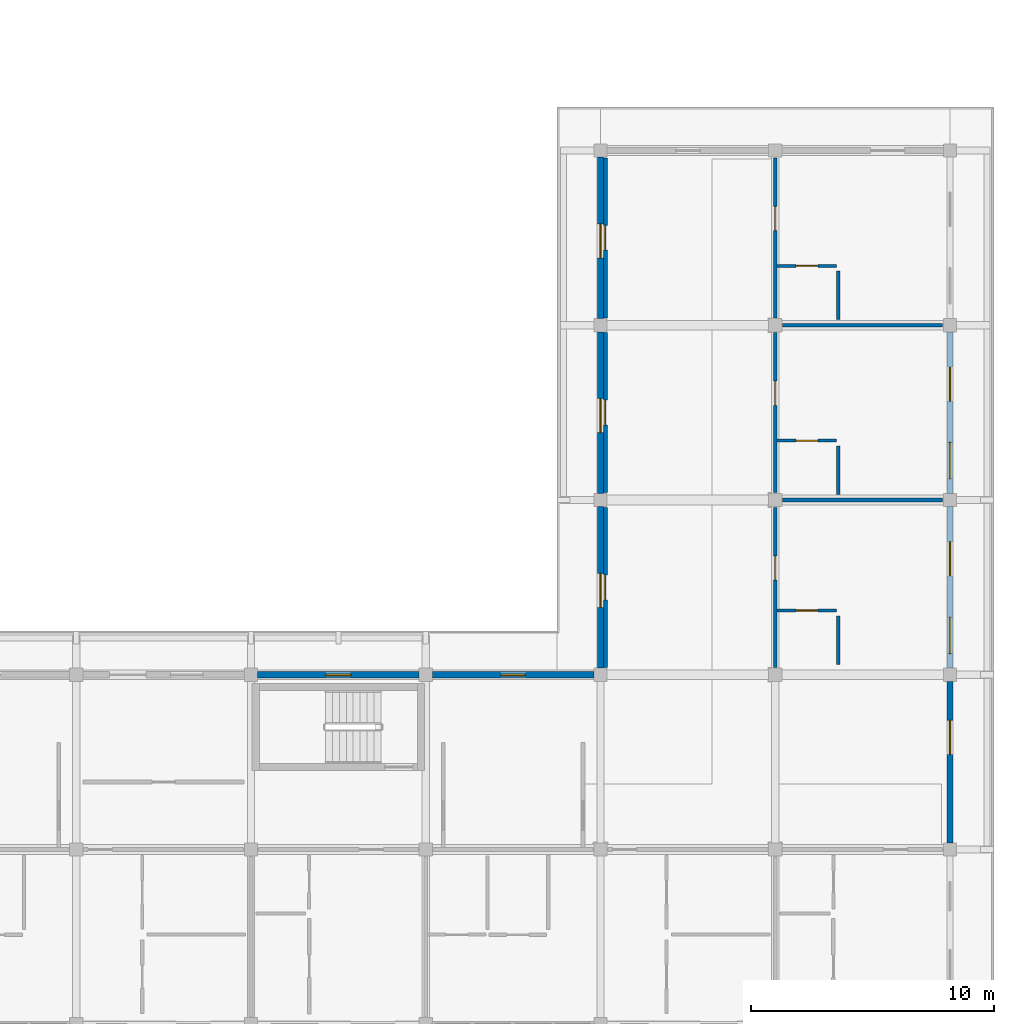
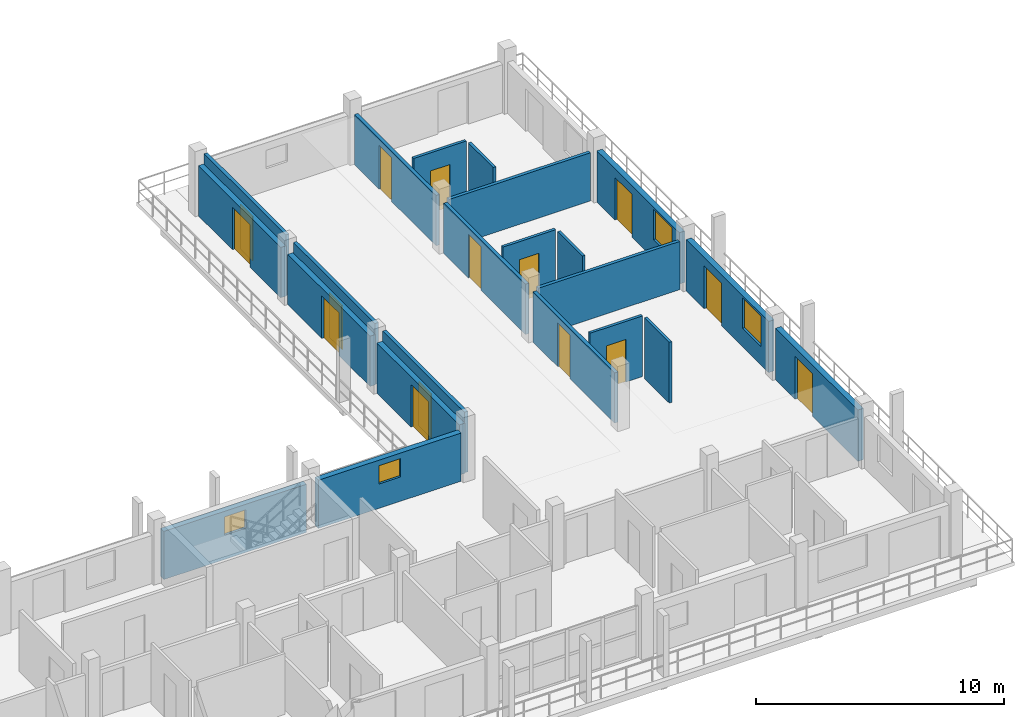
# One storey, part 47 of 67: 22 walls, 15 doors, 4 windows, 19 openings.
"""IFC4 building model written with IfcOpenShell, lengths in metres."""

import ifcopenshell
import ifcopenshell.guid

model = None  # the IFC model being written
_history = None  # IfcOwnerHistory: only IFC2X3 demands one
_inside = {}  # id of a spatial element -> (the spatial element, [elements in it])
_under = {}  # id of a project, library or spatial element -> (it, [spatial elements below it])
_declared = {}  # id of a project -> (the project, [libraries it declares])
_typed = {}  # id of a type object -> (the type object, [elements of that type])
_made_of = {}  # id of a material, layer set ... -> (it, [elements and type objects made of it])


def new_model(schema):
    """Start an empty IFC model of exactly this schema.

    Asked for "IFC4X3", IfcOpenShell would pick the latest addendum, in which some entities
    have other attributes; the version numbers below select the first issue.
    IFC2X3 requires an IfcOwnerHistory on every rooted entity: one is made here for all.
    """
    global model, _history
    if schema == "IFC4X3":
        model = ifcopenshell.file(schema_version=(4, 3, 0, 0))
    else:
        model = ifcopenshell.file(schema=schema)
    _inside.clear()
    _under.clear()
    _declared.clear()
    _typed.clear()
    _made_of.clear()
    _history = None
    if model.schema == "IFC2X3":
        org = make("IfcOrganization", Name="unknown")
        user = make(
            "IfcPersonAndOrganization",
            ThePerson=make("IfcPerson", FamilyName="unknown"),
            TheOrganization=org,
        )
        app = make(
            "IfcApplication",
            ApplicationDeveloper=org,
            Version="unknown",
            ApplicationFullName="unknown",
            ApplicationIdentifier="unknown",
        )
        _history = make(
            "IfcOwnerHistory",
            OwningUser=user,
            OwningApplication=app,
            ChangeAction="ADDED",
            CreationDate=0,
        )
    return model


def make(cls, **values):
    """One entity of the class cls with the attributes given. An attribute that is None is left unset."""
    return model.create_entity(
        cls, **{name: value for name, value in values.items() if value is not None}
    )


def rooted(cls, **values):
    """An entity with a GlobalId (a new one), such as an element, a storey or a relation."""
    return make(cls, GlobalId=ifcopenshell.guid.new(), OwnerHistory=_history, **values)


def si_unit(unit_type, name, prefix=None):
    """IfcSIUnit, for example si_unit("LENGTHUNIT", "METRE", prefix="MILLI")."""
    return make("IfcSIUnit", UnitType=unit_type, Prefix=prefix, Name=name)


def assignment(units):
    """IfcUnitAssignment: the units of a project."""
    return None if units is None else make("IfcUnitAssignment", Units=units)


def point(xyz):
    """IfcCartesianPoint."""
    return None if xyz is None else make("IfcCartesianPoint", Coordinates=xyz)


def direction(xyz):
    """IfcDirection."""
    return None if xyz is None else make("IfcDirection", DirectionRatios=xyz)


def frame(location, z_axis=None, x_axis=None):
    """IfcAxis2Placement3D, a coordinate frame: its origin and axes. An axis left out is left unset."""
    return make(
        "IfcAxis2Placement3D",
        Location=point(location),
        Axis=direction(z_axis),
        RefDirection=direction(x_axis),
    )


def frame_2d(location, x_axis=None):
    """IfcAxis2Placement2D, a coordinate frame in the plane: its origin and x axis."""
    return make(
        "IfcAxis2Placement2D", Location=point(location), RefDirection=direction(x_axis)
    )


def origin():
    """The frame at (0, 0, 0) with its axes left unset."""
    return frame((0.0, 0.0, 0.0))


def place(relative_to, where):
    """IfcLocalPlacement: puts the frame where relative to a parent placement (None: the world)."""
    return make(
        "IfcLocalPlacement", PlacementRelTo=relative_to, RelativePlacement=where
    )


def context(
    kind, dimensions, precision=None, world=None, true_north=None, identifier=None
):
    """IfcGeometricRepresentationContext, for example the 3D "Model" context."""
    return make(
        "IfcGeometricRepresentationContext",
        ContextIdentifier=identifier,
        ContextType=kind,
        CoordinateSpaceDimension=dimensions,
        Precision=precision,
        WorldCoordinateSystem=world,
        TrueNorth=true_north,
    )


def subcontext(parent, identifier, kind, view, scale=None):
    """IfcGeometricRepresentationSubContext, for example "Body" below "Model"."""
    return make(
        "IfcGeometricRepresentationSubContext",
        ContextIdentifier=identifier,
        ContextType=kind,
        ParentContext=parent,
        TargetScale=scale,
        TargetView=view,
    )


def project(units=None, contexts=None):
    """IfcProject with its units and contexts."""
    return rooted(
        "IfcProject",
        Name="project",
        RepresentationContexts=contexts,
        UnitsInContext=assignment(units),
    )


def spatial(cls, under=None, at=None, **own):
    """A site, building, storey or space (cls), placed at a placement, below another one or the project."""
    s = rooted(cls, ObjectPlacement=at, **own)
    if under is not None:
        _under.setdefault(under.id(), (under, []))[1].append(s)
    return s


def profile(cls, at=None, kind="AREA", **sizes):
    """A parametric profile (cls). Its sizes go by their IFC names, for example OverallWidth=200.0."""
    return make(cls, ProfileType=kind, Position=at, **sizes)


def rectangle(**sizes):
    """IfcRectangleProfileDef."""
    return profile("IfcRectangleProfileDef", **sizes)


def extrude(swept, where, along, depth):
    """IfcExtrudedAreaSolid: the profile swept, set in the frame where, extruded along a direction by depth."""
    return make(
        "IfcExtrudedAreaSolid",
        SweptArea=swept,
        Position=where,
        ExtrudedDirection=direction(along),
        Depth=depth,
    )


def shape(context_of_items, identifier, shape_type, items):
    """IfcShapeRepresentation: the items that make up one representation, for example the "Body"."""
    return make(
        "IfcShapeRepresentation",
        ContextOfItems=context_of_items,
        RepresentationIdentifier=identifier,
        RepresentationType=shape_type,
        Items=items,
    )


def material(Name=None, Category=None):
    """IfcMaterial."""
    return make("IfcMaterial", Name=Name, Category=Category)


def layer(
    of_material, thickness, ventilated=None, Name=None, Category=None, Priority=None
):
    """IfcMaterialLayer: one layer of a wall or slab, of a material (None: an air gap)."""
    return make(
        "IfcMaterialLayer",
        Material=of_material,
        LayerThickness=thickness,
        IsVentilated=ventilated,
        Name=Name,
        Category=Category,
        Priority=Priority,
    )


def layer_set(layers, Name=None):
    """IfcMaterialLayerSet."""
    return make("IfcMaterialLayerSet", MaterialLayers=layers, LayerSetName=Name)


def made_of(thing, what):
    """Note that an element or type object is made of a material, layer set ...; save() writes the relation."""
    if what is not None:
        _made_of.setdefault(what.id(), (what, []))[1].append(thing)
    return thing


def type_object(cls, material=None, **own):
    """A type object (cls), such as IfcWallType, which elements share."""
    return made_of(rooted(cls, **own), material)


def element(
    cls,
    number,
    at=None,
    inside=None,
    cuts=None,
    type_object=None,
    material=None,
    context=None,
    identifier="Body",
    shape_type=None,
    held_by="IfcProductDefinitionShape",
    body=None,
    shapes=None,
    **own,
):
    """One element of the class cls, such as IfcWall. Its Tag is "e" and its number.

    at: its placement. inside: the storey or other place that contains it. cuts: it is an
    opening in that element (IfcRelVoidsElement). A single representation is given by context,
    identifier, shape_type and body (its items); several are given by shapes. held_by: the class
    of the entity that holds the representations. save() writes the other relations.
    """
    e = rooted(cls, Tag="e%d" % number, ObjectPlacement=at, **own)
    if body is not None:
        shapes = [shape(context, identifier, shape_type, body)]
    if shapes is not None:
        e.Representation = make(held_by, Representations=shapes)
    if inside is not None:
        _inside.setdefault(inside.id(), (inside, []))[1].append(e)
    if cuts is not None:
        rooted(
            "IfcRelVoidsElement", RelatingBuildingElement=cuts, RelatedOpeningElement=e
        )
    if type_object is not None:
        _typed.setdefault(type_object.id(), (type_object, []))[1].append(e)
    return made_of(e, material)


def fill(opening, filler):
    """IfcRelFillsElement: the door or window that sits in an opening."""
    return rooted(
        "IfcRelFillsElement",
        RelatingOpeningElement=opening,
        RelatedBuildingElement=filler,
    )


def aggregate(whole, parts):
    """IfcRelAggregates: a whole, such as a stair, and the parts it consists of."""
    return rooted("IfcRelAggregates", RelatingObject=whole, RelatedObjects=parts)


def save(model, path):
    """Write the relations noted so far, then the file.

    IfcRelAggregates (storeys below a building ...), IfcRelContainedInSpatialStructure (elements
    in a storey), IfcRelDefinesByType, IfcRelAssociatesMaterial and IfcRelDeclares: one each for
    every whole, place, type object, material and project.
    """
    for whole, parts in _under.values():
        aggregate(whole, parts)
    for where, things in _inside.values():
        rooted(
            "IfcRelContainedInSpatialStructure",
            RelatedElements=things,
            RelatingStructure=where,
        )
    for kind, things in _typed.values():
        rooted("IfcRelDefinesByType", RelatedObjects=things, RelatingType=kind)
    for what, things in _made_of.values():
        rooted("IfcRelAssociatesMaterial", RelatedObjects=things, RelatingMaterial=what)
    for by, libraries in _declared.values():
        rooted("IfcRelDeclares", RelatingContext=by, RelatedDefinitions=libraries)
    model.write(path)


model = new_model("IFC4")

# Units and contexts
model_context = context("Model", 3, precision=1e-05, world=origin(), true_north=direction((0.0, 1.0)))
body_context = subcontext(model_context, "Body", "Model", "MODEL_VIEW")
ifc_project = project(units=[si_unit("LENGTHUNIT", "METRE"), si_unit("AREAUNIT", "SQUARE_METRE"), si_unit("VOLUMEUNIT", "CUBIC_METRE"), si_unit("PLANEANGLEUNIT", "RADIAN"), si_unit("MASSUNIT", "GRAM", prefix="KILO")], contexts=[model_context])

# Site, building, storey
site_placement = place(None, origin())
site = spatial("IfcSite", under=ifc_project, at=site_placement, CompositionType="ELEMENT")
building_placement = place(site_placement, origin())
building = spatial("IfcBuilding", under=site, at=building_placement, Name="Suanplinth Sawtooth Commons", CompositionType="ELEMENT")
storey_placement = place(building_placement, frame((0.0, 0.0, 25.10009765625)))
storey = spatial("IfcBuildingStorey", under=building, at=storey_placement, Name="L07", CompositionType="ELEMENT", Elevation=25.10009765625)

# Wall, opening, window
ifc_material_1 = material(Name="Precast concrete C40/50", Category="concrete")
ifc_layer_1 = layer(ifc_material_1, 0.260009765625, Name="Insulated precast courtyard facade wall 260mm")
ifc_layer_set_1 = layer_set([ifc_layer_1], Name="Precast concrete C40/50")
wall_type_1 = type_object("IfcWallType", Name="W-EX02", PredefinedType="ELEMENTEDWALL", material=ifc_layer_set_1)
wall_1_placement = place(storey_placement, frame((158.675048828125, 14.39990234375, 0.0), z_axis=(0.0, 0.0, 1.0), x_axis=(1.0, 0.0, 0.0)))
wall_1 = element("IfcWall", 1, at=wall_1_placement, inside=storey, type_object=wall_type_1, Name="Facade Wall W-L07-C-N-22-1", PredefinedType="ELEMENTEDWALL", context=body_context, shape_type="SweptSolid", body=[
    extrude(rectangle(XDim=6.64990234375, YDim=0.260009765625, at=frame_2d((3.324951171875, 0.0))), origin(), (0.0, 0.0, 1.0), 2.375),
])
opening_1_placement = place(wall_1_placement, frame((2.824951171875, 0.0, 1.199951171875)))
opening_1 = element("IfcOpeningElement", 2, at=opening_1_placement, cuts=wall_1, Name="Opening W0681", PredefinedType="OPENING", context=body_context, shape_type="SweptSolid", body=[
    extrude(rectangle(XDim=1.0, YDim=0.89990234375, at=frame_2d((0.5, 0.449951171875))), frame((0.0, 0.14501953125, 0.0), z_axis=(0.0, -1.0, 0.0), x_axis=(1.0, 0.0, 0.0)), (0.0, 0.0, 1.0), 0.289794921875),
])
ifc_material_2 = material(Name="Thermally broken aluminium and low-E double glazing", Category="aluminium")
window_type_1 = type_object("IfcWindowType", Name="WN-12", PartitioningType="SINGLE_PANEL", PredefinedType="WINDOW", material=ifc_material_2)
window_1_placement = place(opening_1_placement, origin())
window_1 = element("IfcWindow", 3, at=window_1_placement, inside=storey, type_object=window_type_1, Name="Core Daylight Window L07-C-22-1", OverallHeight=0.89990234375, OverallWidth=1.0, PartitioningType="SINGLE_PANEL", PredefinedType="WINDOW", context=body_context, shape_type="SweptSolid", body=[
    extrude(rectangle(XDim=1.0, YDim=0.89990234375, at=frame_2d((0.5, 0.449951171875))), frame((0.0, 0.030029296875, 0.0), z_axis=(0.0, -1.0, 0.0), x_axis=(1.0, 0.0, 0.0)), (0.0, 0.0, 1.0), 0.06005859375),
])
fill(opening_1, window_1)

wall_2_placement = place(storey_placement, frame((165.875, 14.39990234375, 0.0), z_axis=(0.0, 0.0, 1.0), x_axis=(1.0, 0.0, 0.0)))
wall_2 = element("IfcWall", 4, at=wall_2_placement, inside=storey, type_object=wall_type_1, Name="Facade Wall W-L07-C-N-23-1", PredefinedType="ELEMENTEDWALL", context=body_context, shape_type="SweptSolid", body=[
    extrude(rectangle(XDim=6.64990234375, YDim=0.260009765625, at=frame_2d((3.324951171875, 0.0))), origin(), (0.0, 0.0, 1.0), 2.375),
])
opening_2_placement = place(wall_2_placement, frame((2.824951171875, 0.0, 1.199951171875)))
opening_2 = element("IfcOpeningElement", 5, at=opening_2_placement, cuts=wall_2, Name="Opening W0682", PredefinedType="OPENING", context=body_context, shape_type="SweptSolid", body=[
    extrude(rectangle(XDim=1.0, YDim=0.89990234375, at=frame_2d((0.5, 0.449951171875))), frame((0.0, 0.14501953125, 0.0), z_axis=(0.0, -1.0, 0.0), x_axis=(1.0, 0.0, 0.0)), (0.0, 0.0, 1.0), 0.289794921875),
])
window_2_placement = place(opening_2_placement, origin())
window_2 = element("IfcWindow", 6, at=window_2_placement, inside=storey, type_object=window_type_1, Name="Core Daylight Window L07-C-23-1", OverallHeight=0.89990234375, OverallWidth=1.0, PartitioningType="SINGLE_PANEL", PredefinedType="WINDOW", context=body_context, shape_type="SweptSolid", body=[
    extrude(rectangle(XDim=1.0, YDim=0.89990234375, at=frame_2d((0.5, 0.449951171875))), frame((0.0, 0.030029296875, 0.0), z_axis=(0.0, -1.0, 0.0), x_axis=(1.0, 0.0, 0.0)), (0.0, 0.0, 1.0), 0.06005859375),
])
fill(opening_2, window_2)

# Wall, opening, door
wall_3_placement = place(storey_placement, frame((172.800048828125, 14.675048828125, 0.0), z_axis=(0.0, 0.0, 1.0), x_axis=(0.0, 1.0, 0.0)))
wall_3 = element("IfcWall", 7, at=wall_3_placement, inside=storey, type_object=wall_type_1, Name="Facade Wall W-L07-C-W-24-2", PredefinedType="ELEMENTEDWALL", context=body_context, shape_type="SweptSolid", body=[
    extrude(rectangle(XDim=6.64990234375, YDim=0.260009765625, at=frame_2d((3.324951171875, 0.0))), origin(), (0.0, 0.0, 1.0), 2.474853515625),
])
opening_3_placement = place(wall_3_placement, frame((2.5, 0.0, 0.0)))
opening_3 = element("IfcOpeningElement", 8, at=opening_3_placement, cuts=wall_3, Name="Opening ED0599", PredefinedType="OPENING", context=body_context, shape_type="SweptSolid", body=[
    extrude(rectangle(XDim=1.39990234375, YDim=2.10009765625, at=frame_2d((0.699951171875, 1.050048828125))), frame((0.0, 0.14501953125, 0.0), z_axis=(0.0, -1.0, 0.0), x_axis=(1.0, 0.0, 0.0)), (0.0, 0.0, 1.0), 0.289794921875),
])
ifc_material_3 = material(Name="Anodized aluminium and low-E glass", Category="aluminium")
door_type_1 = type_object("IfcDoorType", Name="SD-07", OperationType="SLIDING_TO_RIGHT", PredefinedType="DOOR", material=ifc_material_3)
door_1_placement = place(opening_3_placement, frame((1.39990234375, 0.0, 0.0), z_axis=(0.0, 0.0, 1.0), x_axis=(-1.0, 0.0, 0.0)))
door_1 = element("IfcDoor", 9, at=door_1_placement, inside=storey, type_object=door_type_1, Name="Courtyard Veranda Studio Balcony Door L07-C-2", OperationType="SLIDING_TO_RIGHT", OverallHeight=2.10009765625, OverallWidth=1.39990234375, PredefinedType="DOOR", context=body_context, shape_type="SweptSolid", body=[
    extrude(rectangle(XDim=1.39990234375, YDim=2.10009765625, at=frame_2d((0.699951171875, 1.050048828125))), frame((0.0, 0.02490234375, 0.0), z_axis=(0.0, -1.0, 0.0), x_axis=(1.0, 0.0, 0.0)), (0.0, 0.0, 1.0), 0.050048828125),
])
fill(opening_3, door_1)

wall_4_placement = place(storey_placement, frame((172.800048828125, 21.875, 0.0), z_axis=(0.0, 0.0, 1.0), x_axis=(0.0, 1.0, 0.0)))
wall_4 = element("IfcWall", 10, at=wall_4_placement, inside=storey, type_object=wall_type_1, Name="Facade Wall W-L07-C-W-24-3", PredefinedType="ELEMENTEDWALL", context=body_context, shape_type="SweptSolid", body=[
    extrude(rectangle(XDim=6.64990234375, YDim=0.260009765625, at=frame_2d((3.324951171875, 0.0))), origin(), (0.0, 0.0, 1.0), 2.474853515625),
])
opening_4_placement = place(wall_4_placement, frame((2.5, 0.0, 0.0)))
opening_4 = element("IfcOpeningElement", 11, at=opening_4_placement, cuts=wall_4, Name="Opening ED0600", PredefinedType="OPENING", context=body_context, shape_type="SweptSolid", body=[
    extrude(rectangle(XDim=1.39990234375, YDim=2.10009765625, at=frame_2d((0.699951171875, 1.050048828125))), frame((0.0, 0.14501953125, 0.0), z_axis=(0.0, -1.0, 0.0), x_axis=(1.0, 0.0, 0.0)), (0.0, 0.0, 1.0), 0.289794921875),
])
door_2_placement = place(opening_4_placement, frame((1.39990234375, 0.0, 0.0), z_axis=(0.0, 0.0, 1.0), x_axis=(-1.0, 0.0, 0.0)))
door_2 = element("IfcDoor", 12, at=door_2_placement, inside=storey, type_object=door_type_1, Name="Courtyard Veranda Studio Balcony Door L07-C-3", OperationType="SLIDING_TO_RIGHT", OverallHeight=2.10009765625, OverallWidth=1.39990234375, PredefinedType="DOOR", context=body_context, shape_type="SweptSolid", body=[
    extrude(rectangle(XDim=1.39990234375, YDim=2.10009765625, at=frame_2d((0.699951171875, 1.050048828125))), frame((0.0, 0.02490234375, 0.0), z_axis=(0.0, -1.0, 0.0), x_axis=(1.0, 0.0, 0.0)), (0.0, 0.0, 1.0), 0.050048828125),
])
fill(opening_4, door_2)

wall_5_placement = place(storey_placement, frame((172.800048828125, 29.074951171875, 0.0), z_axis=(0.0, 0.0, 1.0), x_axis=(0.0, 1.0, 0.0)))
wall_5 = element("IfcWall", 13, at=wall_5_placement, inside=storey, type_object=wall_type_1, Name="Facade Wall W-L07-C-W-24-4", PredefinedType="ELEMENTEDWALL", context=body_context, shape_type="SweptSolid", body=[
    extrude(rectangle(XDim=6.650146484375, YDim=0.260009765625, at=frame_2d((3.3251953125, 0.0))), origin(), (0.0, 0.0, 1.0), 2.474853515625),
])
opening_5_placement = place(wall_5_placement, frame((2.5, 0.0, 0.0)))
opening_5 = element("IfcOpeningElement", 14, at=opening_5_placement, cuts=wall_5, Name="Opening ED0601", PredefinedType="OPENING", context=body_context, shape_type="SweptSolid", body=[
    extrude(rectangle(XDim=1.39990234375, YDim=2.10009765625, at=frame_2d((0.699951171875, 1.050048828125))), frame((0.0, 0.14501953125, 0.0), z_axis=(0.0, -1.0, 0.0), x_axis=(1.0, 0.0, 0.0)), (0.0, 0.0, 1.0), 0.289794921875),
])
door_3_placement = place(opening_5_placement, frame((1.39990234375, 0.0, 0.0), z_axis=(0.0, 0.0, 1.0), x_axis=(-1.0, 0.0, 0.0)))
door_3 = element("IfcDoor", 15, at=door_3_placement, inside=storey, type_object=door_type_1, Name="Courtyard Veranda Studio Balcony Door L07-C-4", OperationType="SLIDING_TO_RIGHT", OverallHeight=2.10009765625, OverallWidth=1.39990234375, PredefinedType="DOOR", context=body_context, shape_type="SweptSolid", body=[
    extrude(rectangle(XDim=1.39990234375, YDim=2.10009765625, at=frame_2d((0.699951171875, 1.050048828125))), frame((0.0, 0.02490234375, 0.0), z_axis=(0.0, -1.0, 0.0), x_axis=(1.0, 0.0, 0.0)), (0.0, 0.0, 1.0), 0.050048828125),
])
fill(opening_5, door_3)

wall_6_placement = place(storey_placement, frame((187.199951171875, 7.47509765625, 0.0), z_axis=(0.0, 0.0, 1.0), x_axis=(0.0, 1.0, 0.0)))
wall_6 = element("IfcWall", 16, at=wall_6_placement, inside=storey, type_object=wall_type_1, Name="Facade Wall W-L07-C-E-25-1", PredefinedType="ELEMENTEDWALL", context=body_context, shape_type="SweptSolid", body=[
    extrude(rectangle(XDim=6.64990234375, YDim=0.260009765625, at=frame_2d((3.324951171875, 0.0))), origin(), (0.0, 0.0, 1.0), 2.52490234375),
])
opening_6_placement = place(wall_6_placement, frame((3.64990234375, 0.0, 0.0)))
opening_6 = element("IfcOpeningElement", 17, at=opening_6_placement, cuts=wall_6, Name="Opening ED0604", PredefinedType="OPENING", context=body_context, shape_type="SweptSolid", body=[
    extrude(rectangle(XDim=1.39990234375, YDim=2.10009765625, at=frame_2d((0.699951171875, 1.050048828125))), frame((0.0, 0.14501953125, 0.0), z_axis=(0.0, -1.0, 0.0), x_axis=(1.0, 0.0, 0.0)), (0.0, 0.0, 1.0), 0.289794921875),
])
door_4_placement = place(opening_6_placement, frame((1.39990234375, 0.0, 0.0), z_axis=(0.0, 0.0, 1.0), x_axis=(-1.0, 0.0, 0.0)))
door_4 = element("IfcDoor", 18, at=door_4_placement, inside=storey, type_object=door_type_1, Name="End Balcony Sliding Door L07-C-E-25-1", OperationType="SLIDING_TO_RIGHT", OverallHeight=2.10009765625, OverallWidth=1.39990234375, PredefinedType="DOOR", context=body_context, shape_type="SweptSolid", body=[
    extrude(rectangle(XDim=1.39990234375, YDim=2.10009765625, at=frame_2d((0.699951171875, 1.050048828125))), frame((0.0, 0.02490234375, 0.0), z_axis=(0.0, -1.0, 0.0), x_axis=(1.0, 0.0, 0.0)), (0.0, 0.0, 1.0), 0.050048828125),
])
fill(opening_6, door_4)

# Wall, openings, door, window
wall_7_placement = place(storey_placement, frame((187.199951171875, 14.675048828125, 0.0), z_axis=(0.0, 0.0, 1.0), x_axis=(0.0, 1.0, 0.0)))
wall_7 = element("IfcWall", 19, at=wall_7_placement, inside=storey, type_object=wall_type_1, Name="Facade Wall W-L07-C-E-25-2", PredefinedType="ELEMENTEDWALL", context=body_context, shape_type="SweptSolid", body=[
    extrude(rectangle(XDim=6.64990234375, YDim=0.260009765625, at=frame_2d((3.324951171875, 0.0))), origin(), (0.0, 0.0, 1.0), 2.52490234375),
])
opening_7_placement = place(wall_7_placement, frame((3.800048828125, 0.0, 0.0)))
opening_7 = element("IfcOpeningElement", 20, at=opening_7_placement, cuts=wall_7, Name="Opening ED0605", PredefinedType="OPENING", context=body_context, shape_type="SweptSolid", body=[
    extrude(rectangle(XDim=1.39990234375, YDim=2.10009765625, at=frame_2d((0.699951171875, 1.050048828125))), frame((0.0, 0.14501953125, 0.0), z_axis=(0.0, -1.0, 0.0), x_axis=(1.0, 0.0, 0.0)), (0.0, 0.0, 1.0), 0.289794921875),
])
opening_8_placement = place(wall_7_placement, frame((0.60009765625, 0.0, 0.9150390625)))
opening_8 = element("IfcOpeningElement", 21, at=opening_8_placement, cuts=wall_7, Name="Opening W0687", PredefinedType="OPENING", context=body_context, shape_type="SweptSolid", body=[
    extrude(rectangle(XDim=1.5, YDim=1.5, at=frame_2d((0.75, 0.75))), frame((0.0, 0.14501953125, 0.0), z_axis=(0.0, -1.0, 0.0), x_axis=(1.0, 0.0, 0.0)), (0.0, 0.0, 1.0), 0.289794921875),
])
door_5_placement = place(opening_7_placement, frame((1.39990234375, 0.0, 0.0), z_axis=(0.0, 0.0, 1.0), x_axis=(-1.0, 0.0, 0.0)))
door_5 = element("IfcDoor", 22, at=door_5_placement, inside=storey, type_object=door_type_1, Name="Wing Balcony Sliding Door L07-C-2", OperationType="SLIDING_TO_RIGHT", OverallHeight=2.10009765625, OverallWidth=1.39990234375, PredefinedType="DOOR", context=body_context, shape_type="SweptSolid", body=[
    extrude(rectangle(XDim=1.39990234375, YDim=2.10009765625, at=frame_2d((0.699951171875, 1.050048828125))), frame((0.0, 0.02490234375, 0.0), z_axis=(0.0, -1.0, 0.0), x_axis=(1.0, 0.0, 0.0)), (0.0, 0.0, 1.0), 0.050048828125),
])
fill(opening_7, door_5)
window_type_2 = type_object("IfcWindowType", Name="WN-02", PartitioningType="DOUBLE_PANEL_VERTICAL", PredefinedType="WINDOW", material=ifc_material_2)
window_3_placement = place(opening_8_placement, origin())
window_3 = element("IfcWindow", 23, at=window_3_placement, inside=storey, type_object=window_type_2, Name="Wing Window L07-C-2", OverallHeight=1.5, OverallWidth=1.5, PartitioningType="DOUBLE_PANEL_VERTICAL", PredefinedType="WINDOW", context=body_context, shape_type="SweptSolid", body=[
    extrude(rectangle(XDim=1.5, YDim=1.5, at=frame_2d((0.75, 0.75))), frame((0.0, 0.030029296875, 0.0), z_axis=(0.0, -1.0, 0.0), x_axis=(1.0, 0.0, 0.0)), (0.0, 0.0, 1.0), 0.06005859375),
])
fill(opening_8, window_3)

wall_8_placement = place(storey_placement, frame((187.199951171875, 21.875, 0.0), z_axis=(0.0, 0.0, 1.0), x_axis=(0.0, 1.0, 0.0)))
wall_8 = element("IfcWall", 24, at=wall_8_placement, inside=storey, type_object=wall_type_1, Name="Facade Wall W-L07-C-E-25-3", PredefinedType="ELEMENTEDWALL", context=body_context, shape_type="SweptSolid", body=[
    extrude(rectangle(XDim=6.64990234375, YDim=0.260009765625, at=frame_2d((3.324951171875, 0.0))), origin(), (0.0, 0.0, 1.0), 2.52490234375),
])
opening_9_placement = place(wall_8_placement, frame((3.800048828125, 0.0, 0.0)))
opening_9 = element("IfcOpeningElement", 25, at=opening_9_placement, cuts=wall_8, Name="Opening ED0606", PredefinedType="OPENING", context=body_context, shape_type="SweptSolid", body=[
    extrude(rectangle(XDim=1.39990234375, YDim=2.10009765625, at=frame_2d((0.699951171875, 1.050048828125))), frame((0.0, 0.14501953125, 0.0), z_axis=(0.0, -1.0, 0.0), x_axis=(1.0, 0.0, 0.0)), (0.0, 0.0, 1.0), 0.289794921875),
])
opening_10_placement = place(wall_8_placement, frame((0.60009765625, 0.0, 0.9150390625)))
opening_10 = element("IfcOpeningElement", 26, at=opening_10_placement, cuts=wall_8, Name="Opening W0688", PredefinedType="OPENING", context=body_context, shape_type="SweptSolid", body=[
    extrude(rectangle(XDim=1.5, YDim=1.5, at=frame_2d((0.75, 0.75))), frame((0.0, 0.14501953125, 0.0), z_axis=(0.0, -1.0, 0.0), x_axis=(1.0, 0.0, 0.0)), (0.0, 0.0, 1.0), 0.289794921875),
])
door_6_placement = place(opening_9_placement, frame((1.39990234375, 0.0, 0.0), z_axis=(0.0, 0.0, 1.0), x_axis=(-1.0, 0.0, 0.0)))
door_6 = element("IfcDoor", 27, at=door_6_placement, inside=storey, type_object=door_type_1, Name="Wing Balcony Sliding Door L07-C-3", OperationType="SLIDING_TO_RIGHT", OverallHeight=2.10009765625, OverallWidth=1.39990234375, PredefinedType="DOOR", context=body_context, shape_type="SweptSolid", body=[
    extrude(rectangle(XDim=1.39990234375, YDim=2.10009765625, at=frame_2d((0.699951171875, 1.050048828125))), frame((0.0, 0.02490234375, 0.0), z_axis=(0.0, -1.0, 0.0), x_axis=(1.0, 0.0, 0.0)), (0.0, 0.0, 1.0), 0.050048828125),
])
fill(opening_9, door_6)
window_4_placement = place(opening_10_placement, origin())
window_4 = element("IfcWindow", 28, at=window_4_placement, inside=storey, type_object=window_type_2, Name="Wing Window L07-C-3", OverallHeight=1.5, OverallWidth=1.5, PartitioningType="DOUBLE_PANEL_VERTICAL", PredefinedType="WINDOW", context=body_context, shape_type="SweptSolid", body=[
    extrude(rectangle(XDim=1.5, YDim=1.5, at=frame_2d((0.75, 0.75))), frame((0.0, 0.030029296875, 0.0), z_axis=(0.0, -1.0, 0.0), x_axis=(1.0, 0.0, 0.0)), (0.0, 0.0, 1.0), 0.06005859375),
])
fill(opening_10, window_4)

# Wall, opening, door
ifc_layer_2 = layer(ifc_material_1, 0.159912109375, Name="Fire-rated corridor and lobby wall 160mm")
ifc_layer_set_2 = layer_set([ifc_layer_2], Name="Precast concrete C40/50")
wall_type_2 = type_object("IfcWallType", Name="W-FW01", PredefinedType="PARTITIONING", material=ifc_layer_set_2)
wall_9_placement = place(storey_placement, frame((180.0, 14.705078125, 0.0), z_axis=(0.0, 0.0, 1.0), x_axis=(0.0, 1.0, 0.0)))
wall_9 = element("IfcWall", 29, at=wall_9_placement, inside=storey, type_object=wall_type_2, Name="W-C-L07-L01-COR", PredefinedType="PARTITIONING", context=body_context, shape_type="SweptSolid", body=[
    extrude(rectangle(XDim=6.58984375, YDim=0.159912109375, at=frame_2d((3.294921875, 0.0))), origin(), (0.0, 0.0, 1.0), 2.474853515625),
])
opening_11_placement = place(wall_9_placement, frame((3.594970703125, 0.0, 0.0)))
opening_11 = element("IfcOpeningElement", 30, at=opening_11_placement, cuts=wall_9, Name="Opening FD1595", PredefinedType="OPENING", context=body_context, shape_type="SweptSolid", body=[
    extrude(rectangle(XDim=1.0, YDim=2.14990234375, at=frame_2d((0.5, 1.074951171875))), frame((0.0, 0.0947265625, 0.0), z_axis=(0.0, -1.0, 0.0), x_axis=(1.0, 0.0, 0.0)), (0.0, 0.0, 1.0), 0.189697265625),
])
ifc_material_4 = material(Name="Teak hardwood fire-rated door assembly", Category="wood")
door_type_2 = type_object("IfcDoorType", Name="FD-03", OperationType="NOTDEFINED", PredefinedType="DOOR", material=ifc_material_4)
door_7_placement = place(opening_11_placement, frame((1.0, 0.0, 0.0), z_axis=(0.0, 0.0, 1.0), x_axis=(-1.0, 0.0, 0.0)))
door_7 = element("IfcDoor", 31, at=door_7_placement, inside=storey, type_object=door_type_2, Name="Wing Unit Entrance Door FD1595", OperationType="SINGLE_SWING_LEFT", OverallHeight=2.14990234375, OverallWidth=1.0, PredefinedType="DOOR", context=body_context, shape_type="SweptSolid", body=[
    extrude(rectangle(XDim=1.0, YDim=2.14990234375, at=frame_2d((0.5, 1.074951171875))), frame((0.0, 0.02490234375, 0.0), z_axis=(0.0, -1.0, 0.0), x_axis=(1.0, 0.0, 0.0)), (0.0, 0.0, 1.0), 0.050048828125),
])
fill(opening_11, door_7)

wall_10_placement = place(storey_placement, frame((173.0, 14.705078125, 0.0), z_axis=(0.0, 0.0, 1.0), x_axis=(0.0, 1.0, 0.0)))
wall_10 = element("IfcWall", 32, at=wall_10_placement, inside=storey, type_object=wall_type_2, Name="W-C-L07-LEGCOURTROOM-42-COR", PredefinedType="PARTITIONING", context=body_context, shape_type="SweptSolid", body=[
    extrude(rectangle(XDim=6.58984375, YDim=0.159912109375, at=frame_2d((3.294921875, 0.0))), origin(), (0.0, 0.0, 1.0), 2.989990234375),
])
opening_12_placement = place(wall_10_placement, frame((2.784912109375, 0.0, 0.0)))
opening_12 = element("IfcOpeningElement", 33, at=opening_12_placement, cuts=wall_10, Name="Opening D1597", PredefinedType="OPENING", context=body_context, shape_type="SweptSolid", body=[
    extrude(rectangle(XDim=1.02001953125, YDim=2.179931640625, at=frame_2d((0.510009765625, 1.08984375))), frame((0.0, 0.0947265625, 0.0), z_axis=(0.0, -1.0, 0.0), x_axis=(1.0, 0.0, 0.0)), (0.0, 0.0, 1.0), 0.189697265625),
])
ifc_material_5 = material(Name="Teak hardwood", Category="wood")
door_type_3 = type_object("IfcDoorType", Name="D-16", OperationType="NOTDEFINED", PredefinedType="DOOR", material=ifc_material_5)
door_8_placement = place(opening_12_placement, origin())
door_8 = element("IfcDoor", 34, at=door_8_placement, inside=storey, type_object=door_type_3, Name="Veranda Studio Door D1597", OperationType="SINGLE_SWING_LEFT", OverallHeight=2.179931640625, OverallWidth=1.02001953125, PredefinedType="DOOR", context=body_context, shape_type="SweptSolid", body=[
    extrude(rectangle(XDim=1.02001953125, YDim=2.179931640625, at=frame_2d((0.510009765625, 1.08984375))), frame((0.0, 0.02490234375, 0.0), z_axis=(0.0, -1.0, 0.0), x_axis=(1.0, 0.0, 0.0)), (0.0, 0.0, 1.0), 0.050048828125),
])
fill(opening_12, door_8)

wall_11_placement = place(storey_placement, frame((180.0, 21.905029296875, 0.0), z_axis=(0.0, 0.0, 1.0), x_axis=(0.0, 1.0, 0.0)))
wall_11 = element("IfcWall", 35, at=wall_11_placement, inside=storey, type_object=wall_type_2, Name="W-C-L07-L02-COR", PredefinedType="PARTITIONING", context=body_context, shape_type="SweptSolid", body=[
    extrude(rectangle(XDim=6.590087890625, YDim=0.159912109375, at=frame_2d((3.294921875, 0.0))), origin(), (0.0, 0.0, 1.0), 2.474853515625),
])
opening_13_placement = place(wall_11_placement, frame((3.594970703125, 0.0, 0.0)))
opening_13 = element("IfcOpeningElement", 36, at=opening_13_placement, cuts=wall_11, Name="Opening FD1598", PredefinedType="OPENING", context=body_context, shape_type="SweptSolid", body=[
    extrude(rectangle(XDim=1.0, YDim=2.14990234375, at=frame_2d((0.5, 1.074951171875))), frame((0.0, 0.0947265625, 0.0), z_axis=(0.0, -1.0, 0.0), x_axis=(1.0, 0.0, 0.0)), (0.0, 0.0, 1.0), 0.189697265625),
])
door_9_placement = place(opening_13_placement, frame((1.0, 0.0, 0.0), z_axis=(0.0, 0.0, 1.0), x_axis=(-1.0, 0.0, 0.0)))
door_9 = element("IfcDoor", 37, at=door_9_placement, inside=storey, type_object=door_type_2, Name="Wing Unit Entrance Door FD1598", OperationType="SINGLE_SWING_RIGHT", OverallHeight=2.14990234375, OverallWidth=1.0, PredefinedType="DOOR", context=body_context, shape_type="SweptSolid", body=[
    extrude(rectangle(XDim=1.0, YDim=2.14990234375, at=frame_2d((0.5, 1.074951171875))), frame((0.0, 0.02490234375, 0.0), z_axis=(0.0, -1.0, 0.0), x_axis=(1.0, 0.0, 0.0)), (0.0, 0.0, 1.0), 0.050048828125),
])
fill(opening_13, door_9)

wall_12_placement = place(storey_placement, frame((173.0, 21.905029296875, 0.0), z_axis=(0.0, 0.0, 1.0), x_axis=(0.0, 1.0, 0.0)))
wall_12 = element("IfcWall", 38, at=wall_12_placement, inside=storey, type_object=wall_type_2, Name="W-C-L07-LEGCOURTROOM-44-COR", PredefinedType="PARTITIONING", context=body_context, shape_type="SweptSolid", body=[
    extrude(rectangle(XDim=6.590087890625, YDim=0.159912109375, at=frame_2d((3.294921875, 0.0))), origin(), (0.0, 0.0, 1.0), 2.989990234375),
])
opening_14_placement = place(wall_12_placement, frame((2.784912109375, 0.0, 0.0)))
opening_14 = element("IfcOpeningElement", 39, at=opening_14_placement, cuts=wall_12, Name="Opening D1600", PredefinedType="OPENING", context=body_context, shape_type="SweptSolid", body=[
    extrude(rectangle(XDim=1.02001953125, YDim=2.179931640625, at=frame_2d((0.510009765625, 1.08984375))), frame((0.0, 0.0947265625, 0.0), z_axis=(0.0, -1.0, 0.0), x_axis=(1.0, 0.0, 0.0)), (0.0, 0.0, 1.0), 0.189697265625),
])
door_10_placement = place(opening_14_placement, origin())
door_10 = element("IfcDoor", 40, at=door_10_placement, inside=storey, type_object=door_type_3, Name="Veranda Studio Door D1600", OperationType="SINGLE_SWING_RIGHT", OverallHeight=2.179931640625, OverallWidth=1.02001953125, PredefinedType="DOOR", context=body_context, shape_type="SweptSolid", body=[
    extrude(rectangle(XDim=1.02001953125, YDim=2.179931640625, at=frame_2d((0.510009765625, 1.08984375))), frame((0.0, 0.02490234375, 0.0), z_axis=(0.0, -1.0, 0.0), x_axis=(1.0, 0.0, 0.0)), (0.0, 0.0, 1.0), 0.050048828125),
])
fill(opening_14, door_10)

wall_13_placement = place(storey_placement, frame((180.0, 29.10498046875, 0.0), z_axis=(0.0, 0.0, 1.0), x_axis=(0.0, 1.0, 0.0)))
wall_13 = element("IfcWall", 41, at=wall_13_placement, inside=storey, type_object=wall_type_2, Name="W-C-L07-L03-COR", PredefinedType="PARTITIONING", context=body_context, shape_type="SweptSolid", body=[
    extrude(rectangle(XDim=6.590087890625, YDim=0.159912109375, at=frame_2d((3.294921875, 0.0))), origin(), (0.0, 0.0, 1.0), 2.474853515625),
])
opening_15_placement = place(wall_13_placement, frame((3.594970703125, 0.0, 0.0)))
opening_15 = element("IfcOpeningElement", 42, at=opening_15_placement, cuts=wall_13, Name="Opening FD1601", PredefinedType="OPENING", context=body_context, shape_type="SweptSolid", body=[
    extrude(rectangle(XDim=1.0, YDim=2.14990234375, at=frame_2d((0.5, 1.074951171875))), frame((0.0, 0.0947265625, 0.0), z_axis=(0.0, -1.0, 0.0), x_axis=(1.0, 0.0, 0.0)), (0.0, 0.0, 1.0), 0.189697265625),
])
door_11_placement = place(opening_15_placement, frame((1.0, 0.0, 0.0), z_axis=(0.0, 0.0, 1.0), x_axis=(-1.0, 0.0, 0.0)))
door_11 = element("IfcDoor", 43, at=door_11_placement, inside=storey, type_object=door_type_2, Name="Wing Unit Entrance Door FD1601", OperationType="SINGLE_SWING_LEFT", OverallHeight=2.14990234375, OverallWidth=1.0, PredefinedType="DOOR", context=body_context, shape_type="SweptSolid", body=[
    extrude(rectangle(XDim=1.0, YDim=2.14990234375, at=frame_2d((0.5, 1.074951171875))), frame((0.0, 0.02490234375, 0.0), z_axis=(0.0, -1.0, 0.0), x_axis=(1.0, 0.0, 0.0)), (0.0, 0.0, 1.0), 0.050048828125),
])
fill(opening_15, door_11)

wall_14_placement = place(storey_placement, frame((173.0, 29.10498046875, 0.0), z_axis=(0.0, 0.0, 1.0), x_axis=(0.0, 1.0, 0.0)))
wall_14 = element("IfcWall", 44, at=wall_14_placement, inside=storey, type_object=wall_type_2, Name="W-C-L07-LEGCOURTROOM-46-COR", PredefinedType="PARTITIONING", context=body_context, shape_type="SweptSolid", body=[
    extrude(rectangle(XDim=6.590087890625, YDim=0.159912109375, at=frame_2d((3.294921875, 0.0))), origin(), (0.0, 0.0, 1.0), 2.989990234375),
])
opening_16_placement = place(wall_14_placement, frame((2.784912109375, 0.0, 0.0)))
opening_16 = element("IfcOpeningElement", 45, at=opening_16_placement, cuts=wall_14, Name="Opening D1603", PredefinedType="OPENING", context=body_context, shape_type="SweptSolid", body=[
    extrude(rectangle(XDim=1.02001953125, YDim=2.179931640625, at=frame_2d((0.510009765625, 1.08984375))), frame((0.0, 0.0947265625, 0.0), z_axis=(0.0, -1.0, 0.0), x_axis=(1.0, 0.0, 0.0)), (0.0, 0.0, 1.0), 0.189697265625),
])
door_12_placement = place(opening_16_placement, origin())
door_12 = element("IfcDoor", 46, at=door_12_placement, inside=storey, type_object=door_type_3, Name="Veranda Studio Door D1603", OperationType="SINGLE_SWING_LEFT", OverallHeight=2.179931640625, OverallWidth=1.02001953125, PredefinedType="DOOR", context=body_context, shape_type="SweptSolid", body=[
    extrude(rectangle(XDim=1.02001953125, YDim=2.179931640625, at=frame_2d((0.510009765625, 1.08984375))), frame((0.0, 0.02490234375, 0.0), z_axis=(0.0, -1.0, 0.0), x_axis=(1.0, 0.0, 0.0)), (0.0, 0.0, 1.0), 0.050048828125),
])
fill(opening_16, door_12)

# Walls
ifc_layer_3 = layer(ifc_material_1, 0.14990234375, Name="Acoustic precast party demising wall 150mm")
ifc_layer_set_3 = layer_set([ifc_layer_3], Name="Precast concrete C40/50")
wall_type_3 = type_object("IfcWallType", Name="W-FW02", PredefinedType="PARTITIONING", material=ifc_layer_set_3)
for number, where, z_axis, x_axis, name in (
    (47, (180.304931640625, 21.60009765625, 0.0), (0.0, 0.0, 1.0), (1.0, 0.0, 0.0), "W-C-L07-L01-PTY"),
    (48, (180.304931640625, 28.800048828125, 0.0), (0.0, 0.0, 1.0), (1.0, 0.0, 0.0), "W-C-L07-L02-PTY"),
):
    element("IfcWall", number, at=place(storey_placement, frame(where, z_axis=z_axis, x_axis=x_axis)), inside=storey, type_object=wall_type_3, Name=name, PredefinedType="PARTITIONING", context=body_context, shape_type="SweptSolid", body=[
        extrude(rectangle(XDim=6.590087890625, YDim=0.14990234375, at=frame_2d((3.294921875, 0.0))), origin(), (0.0, 0.0, 1.0), 2.375),
    ])

# Wall, opening, door
ifc_material_6 = material(Name="Gypsum plasterboard on steel stud", Category="steel")
ifc_layer_4 = layer(ifc_material_6, 0.1298828125, Name="Moisture-resistant bathroom partition 130mm")
ifc_layer_set_4 = layer_set([ifc_layer_4], Name="Gypsum plasterboard on steel stud")
wall_type_4 = type_object("IfcWallType", Name="W-PT02", PredefinedType="PARTITIONING", material=ifc_layer_set_4)
wall_15_placement = place(storey_placement, frame((180.080078125, 17.044921875, 0.0), z_axis=(0.0, 0.0, 1.0), x_axis=(1.0, 0.0, 0.0)))
wall_15 = element("IfcWall", 49, at=wall_15_placement, inside=storey, type_object=wall_type_4, Name="W-C-L07-L01-BTH1", PredefinedType="PARTITIONING", context=body_context, shape_type="SweptSolid", body=[
    extrude(rectangle(XDim=2.449951171875, YDim=0.1298828125, at=frame_2d((1.22509765625, 0.0))), origin(), (0.0, 0.0, 1.0), 2.989990234375),
])
opening_17_placement = place(wall_15_placement, frame((0.77490234375, 0.0, 0.0)))
opening_17 = element("IfcOpeningElement", 50, at=opening_17_placement, cuts=wall_15, Name="Opening D1596", PredefinedType="OPENING", context=body_context, shape_type="SweptSolid", body=[
    extrude(rectangle(XDim=0.89990234375, YDim=2.10009765625, at=frame_2d((0.449951171875, 1.050048828125))), frame((0.0, 0.079833984375, 0.0), z_axis=(0.0, -1.0, 0.0), x_axis=(1.0, 0.0, 0.0)), (0.0, 0.0, 1.0), 0.15966796875),
])
door_type_4 = type_object("IfcDoorType", Name="D-01", OperationType="NOTDEFINED", PredefinedType="DOOR", material=ifc_material_5)
door_13_placement = place(opening_17_placement, frame((0.89990234375, 0.0, 0.0), z_axis=(0.0, 0.0, 1.0), x_axis=(-1.0, 0.0, 0.0)))
door_13 = element("IfcDoor", 51, at=door_13_placement, inside=storey, type_object=door_type_4, Name="Bathroom Door D1596", OperationType="SINGLE_SWING_RIGHT", OverallHeight=2.10009765625, OverallWidth=0.89990234375, PredefinedType="DOOR", context=body_context, shape_type="SweptSolid", body=[
    extrude(rectangle(XDim=0.89990234375, YDim=2.10009765625, at=frame_2d((0.449951171875, 1.050048828125))), frame((0.0, 0.02490234375, 0.0), z_axis=(0.0, -1.0, 0.0), x_axis=(1.0, 0.0, 0.0)), (0.0, 0.0, 1.0), 0.050048828125),
])
fill(opening_17, door_13)

# Wall
wall_16_placement = place(storey_placement, frame((182.594970703125, 14.830078125, 0.0), z_axis=(0.0, 0.0, 1.0), x_axis=(0.0, 1.0, 0.0)))
element("IfcWall", 52, at=wall_16_placement, inside=storey, type_object=wall_type_4, Name="W-C-L07-L01-BTH2", PredefinedType="PARTITIONING", context=body_context, shape_type="SweptSolid", body=[
    extrude(rectangle(XDim=2.0, YDim=0.1298828125, at=frame_2d((1.0, 0.0))), origin(), (0.0, 0.0, 1.0), 2.989990234375),
])

# Wall, opening, door
wall_17_placement = place(storey_placement, frame((180.080078125, 24.044921875, 0.0), z_axis=(0.0, 0.0, 1.0), x_axis=(1.0, 0.0, 0.0)))
wall_17 = element("IfcWall", 53, at=wall_17_placement, inside=storey, type_object=wall_type_4, Name="W-C-L07-L02-BTH1", PredefinedType="PARTITIONING", context=body_context, shape_type="SweptSolid", body=[
    extrude(rectangle(XDim=2.449951171875, YDim=0.1298828125, at=frame_2d((1.22509765625, 0.0))), origin(), (0.0, 0.0, 1.0), 2.989990234375),
])
opening_18_placement = place(wall_17_placement, frame((0.77490234375, 0.0, 0.0)))
opening_18 = element("IfcOpeningElement", 54, at=opening_18_placement, cuts=wall_17, Name="Opening D1599", PredefinedType="OPENING", context=body_context, shape_type="SweptSolid", body=[
    extrude(rectangle(XDim=0.89990234375, YDim=2.10009765625, at=frame_2d((0.449951171875, 1.050048828125))), frame((0.0, 0.079833984375, 0.0), z_axis=(0.0, -1.0, 0.0), x_axis=(1.0, 0.0, 0.0)), (0.0, 0.0, 1.0), 0.15966796875),
])
door_14_placement = place(opening_18_placement, frame((0.89990234375, 0.0, 0.0), z_axis=(0.0, 0.0, 1.0), x_axis=(-1.0, 0.0, 0.0)))
door_14 = element("IfcDoor", 55, at=door_14_placement, inside=storey, type_object=door_type_4, Name="Bathroom Door D1599", OperationType="SINGLE_SWING_LEFT", OverallHeight=2.10009765625, OverallWidth=0.89990234375, PredefinedType="DOOR", context=body_context, shape_type="SweptSolid", body=[
    extrude(rectangle(XDim=0.89990234375, YDim=2.10009765625, at=frame_2d((0.449951171875, 1.050048828125))), frame((0.0, 0.02490234375, 0.0), z_axis=(0.0, -1.0, 0.0), x_axis=(1.0, 0.0, 0.0)), (0.0, 0.0, 1.0), 0.050048828125),
])
fill(opening_18, door_14)

# Wall
wall_18_placement = place(storey_placement, frame((182.594970703125, 21.830078125, 0.0), z_axis=(0.0, 0.0, 1.0), x_axis=(0.0, 1.0, 0.0)))
element("IfcWall", 56, at=wall_18_placement, inside=storey, type_object=wall_type_4, Name="W-C-L07-L02-BTH2", PredefinedType="PARTITIONING", context=body_context, shape_type="SweptSolid", body=[
    extrude(rectangle(XDim=2.0, YDim=0.1298828125, at=frame_2d((1.0, 0.0))), origin(), (0.0, 0.0, 1.0), 2.989990234375),
])

# Wall, opening, door
wall_19_placement = place(storey_placement, frame((180.080078125, 31.2451171875, 0.0), z_axis=(0.0, 0.0, 1.0), x_axis=(1.0, 0.0, 0.0)))
wall_19 = element("IfcWall", 57, at=wall_19_placement, inside=storey, type_object=wall_type_4, Name="W-C-L07-L03-BTH1", PredefinedType="PARTITIONING", context=body_context, shape_type="SweptSolid", body=[
    extrude(rectangle(XDim=2.449951171875, YDim=0.1298828125, at=frame_2d((1.22509765625, 0.0))), origin(), (0.0, 0.0, 1.0), 2.989990234375),
])
opening_19_placement = place(wall_19_placement, frame((0.77490234375, 0.0, 0.0)))
opening_19 = element("IfcOpeningElement", 58, at=opening_19_placement, cuts=wall_19, Name="Opening D1602", PredefinedType="OPENING", context=body_context, shape_type="SweptSolid", body=[
    extrude(rectangle(XDim=0.89990234375, YDim=2.10009765625, at=frame_2d((0.449951171875, 1.050048828125))), frame((0.0, 0.079833984375, 0.0), z_axis=(0.0, -1.0, 0.0), x_axis=(1.0, 0.0, 0.0)), (0.0, 0.0, 1.0), 0.15966796875),
])
door_15_placement = place(opening_19_placement, frame((0.89990234375, 0.0, 0.0), z_axis=(0.0, 0.0, 1.0), x_axis=(-1.0, 0.0, 0.0)))
door_15 = element("IfcDoor", 59, at=door_15_placement, inside=storey, type_object=door_type_4, Name="Bathroom Door D1602", OperationType="SINGLE_SWING_RIGHT", OverallHeight=2.10009765625, OverallWidth=0.89990234375, PredefinedType="DOOR", context=body_context, shape_type="SweptSolid", body=[
    extrude(rectangle(XDim=0.89990234375, YDim=2.10009765625, at=frame_2d((0.449951171875, 1.050048828125))), frame((0.0, 0.02490234375, 0.0), z_axis=(0.0, -1.0, 0.0), x_axis=(1.0, 0.0, 0.0)), (0.0, 0.0, 1.0), 0.050048828125),
])
fill(opening_19, door_15)

# Wall
wall_20_placement = place(storey_placement, frame((182.594970703125, 29.030029296875, 0.0), z_axis=(0.0, 0.0, 1.0), x_axis=(0.0, 1.0, 0.0)))
element("IfcWall", 60, at=wall_20_placement, inside=storey, type_object=wall_type_4, Name="W-C-L07-L03-BTH2", PredefinedType="PARTITIONING", context=body_context, shape_type="SweptSolid", body=[
    extrude(rectangle(XDim=2.0, YDim=0.1298828125, at=frame_2d((1.0, 0.0))), origin(), (0.0, 0.0, 1.0), 2.989990234375),
])

save(model, "model.ifc")
